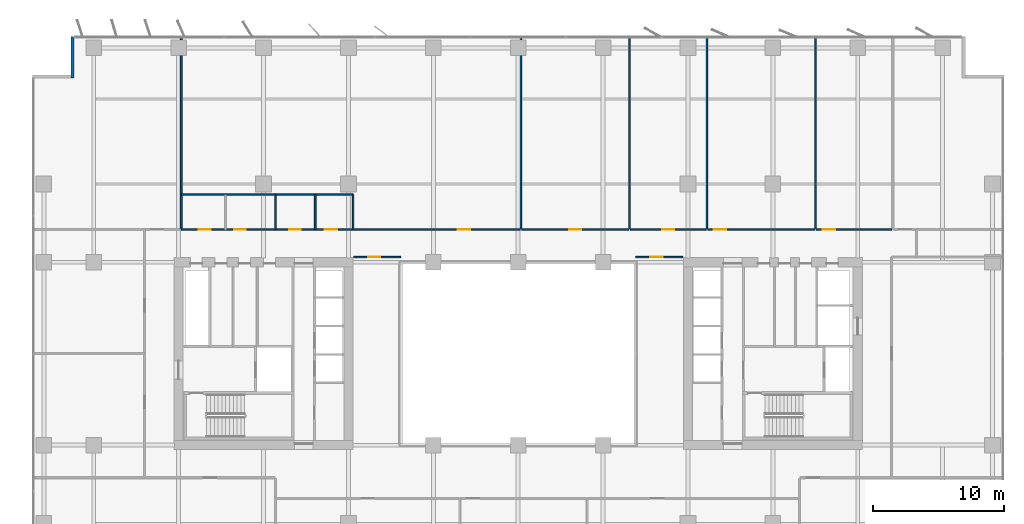
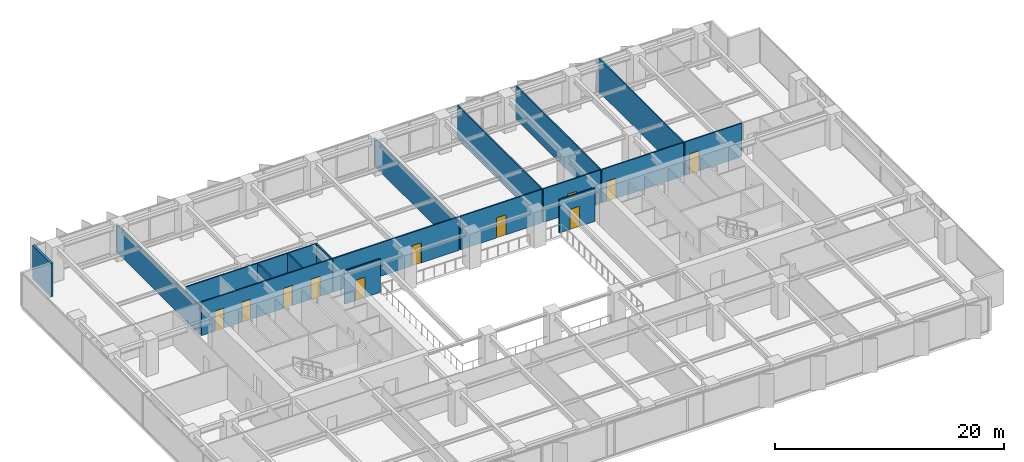
# One storey, part 15 of 20: 18 walls, 11 doors, 11 openings.
"""IFC4 building model written with IfcOpenShell, lengths in metres."""

from ifc_helpers import new_model, si_unit, direction, frame, frame_2d, origin, place, context, subcontext, project, spatial, rectangle, extrude, material, layer, layer_set, type_object, element, fill, save


model = new_model("IFC4")

# Units and contexts
model_context = context("Model", 3, precision=1e-05, world=origin(), true_north=direction((0.0, 1.0)))
body_context = subcontext(model_context, "Body", "Model", "MODEL_VIEW")
ifc_project = project(units=[si_unit("LENGTHUNIT", "METRE"), si_unit("AREAUNIT", "SQUARE_METRE"), si_unit("VOLUMEUNIT", "CUBIC_METRE"), si_unit("PLANEANGLEUNIT", "RADIAN"), si_unit("MASSUNIT", "GRAM", prefix="KILO")], contexts=[model_context])

# Site, building, storey
site_placement = place(None, origin())
site = spatial("IfcSite", under=ifc_project, at=site_placement, CompositionType="ELEMENT")
building_placement = place(site_placement, origin())
building = spatial("IfcBuilding", under=site, at=building_placement, Name="Putna Gate Headquarters", CompositionType="ELEMENT")
storey_placement = place(building_placement, frame((0.0, 0.0, 105.0)))
storey = spatial("IfcBuildingStorey", under=building, at=storey_placement, Name="L25", CompositionType="ELEMENT", Elevation=105.0)

# Wall
ifc_material_1 = material(Name="Precast concrete C40/50", Category="concrete")
ifc_layer_1 = layer(ifc_material_1, 0.239990234375)
ifc_layer_set_1 = layer_set([ifc_layer_1], Name="Precast concrete C40/50")
wall_type_1 = type_object("IfcWallType", Name="WALL-EXT-TERR-240", PredefinedType="STANDARD", material=ifc_layer_set_1)
wall_1_placement = place(storey_placement, frame((4.8798828125, 47.10009765625, 0.0), z_axis=(0.0, 0.0, 1.0), x_axis=(0.0, 1.0, 0.0)))
element("IfcWall", 1, at=wall_1_placement, inside=storey, type_object=wall_type_1, Name="L25 Corner Notch Return Wall NW-V", PredefinedType="STANDARD", context=body_context, shape_type="SweptSolid", body=[
    extrude(rectangle(XDim=3.199951171875, YDim=0.239990234375, at=frame_2d((1.60009765625, 0.0))), origin(), (0.0, 0.0, 1.0), 3.56494140625),
])

# Wall, opening, door
ifc_material_2 = material(Name="Acoustic gypsum board on metal stud")
ifc_layer_2 = layer(ifc_material_2, 0.1201171875)
ifc_layer_set_2 = layer_set([ifc_layer_2], Name="Acoustic gypsum board on metal stud")
wall_type_2 = type_object("IfcWallType", Name="WALL-PART-120", PredefinedType="PARTITIONING", material=ifc_layer_set_2)
wall_2_placement = place(storey_placement, frame((26.39990234375, 33.39990234375, 0.0), z_axis=(0.0, 0.0, 1.0), x_axis=(1.0, 0.0, 0.0)))
wall_2 = element("IfcWall", 2, at=wall_2_placement, inside=storey, type_object=wall_type_2, Name="L25 Interior Wall PART-L25-ATR-W-N", PredefinedType="PARTITIONING", context=body_context, shape_type="SweptSolid", body=[
    extrude(rectangle(XDim=3.60009765625, YDim=0.1201171875, at=frame_2d((1.800048828125, 0.0))), origin(), (0.0, 0.0, 1.0), 3.56494140625),
])
opening_1_placement = place(wall_2_placement, frame((1.10009765625, 0.0, 0.0)))
opening_1 = element("IfcOpeningElement", 3, at=opening_1_placement, cuts=wall_2, Name="Opening ID-95", PredefinedType="OPENING", context=body_context, shape_type="SweptSolid", body=[
    extrude(rectangle(XDim=0.949951171875, YDim=2.14990234375, at=frame_2d((0.47509765625, 1.074951171875))), frame((0.0, 0.070068359375, 0.0), z_axis=(0.0, -1.0, 0.0), x_axis=(1.0, 0.0, 0.0)), (0.0, 0.0, 1.0), 0.14013671875),
])
ifc_material_3 = material(Name="Veneered acoustic timber door", Category="wood")
door_type_1 = type_object("IfcDoorType", Name="DOOR-OFF-950", OperationType="NOTDEFINED", PredefinedType="DOOR", material=ifc_material_3)
door_1_placement = place(opening_1_placement, origin())
door_1 = element("IfcDoor", 4, at=door_1_placement, inside=storey, type_object=door_type_1, Name="L25 West Atrium Lounge Door", OperationType="SINGLE_SWING_LEFT", OverallHeight=2.14990234375, OverallWidth=0.949951171875, PredefinedType="DOOR", context=body_context, shape_type="SweptSolid", body=[
    extrude(rectangle(XDim=0.949951171875, YDim=2.14990234375, at=frame_2d((0.47509765625, 1.074951171875))), frame((0.0, 0.02490234375, 0.0), z_axis=(0.0, -1.0, 0.0), x_axis=(1.0, 0.0, 0.0)), (0.0, 0.0, 1.0), 0.050048828125),
])
fill(opening_1, door_1)

wall_3_placement = place(storey_placement, frame((48.0, 33.39990234375, 0.0), z_axis=(0.0, 0.0, 1.0), x_axis=(1.0, 0.0, 0.0)))
wall_3 = element("IfcWall", 5, at=wall_3_placement, inside=storey, type_object=wall_type_2, Name="L25 Interior Wall PART-L25-ATR-E-N", PredefinedType="PARTITIONING", context=body_context, shape_type="SweptSolid", body=[
    extrude(rectangle(XDim=3.60009765625, YDim=0.1201171875, at=frame_2d((1.800048828125, 0.0))), origin(), (0.0, 0.0, 1.0), 3.56494140625),
])
opening_2_placement = place(wall_3_placement, frame((1.10009765625, 0.0, 0.0)))
opening_2 = element("IfcOpeningElement", 6, at=opening_2_placement, cuts=wall_3, Name="Opening ID-95", PredefinedType="OPENING", context=body_context, shape_type="SweptSolid", body=[
    extrude(rectangle(XDim=0.949951171875, YDim=2.14990234375, at=frame_2d((0.47509765625, 1.074951171875))), frame((0.0, 0.070068359375, 0.0), z_axis=(0.0, -1.0, 0.0), x_axis=(1.0, 0.0, 0.0)), (0.0, 0.0, 1.0), 0.14013671875),
])
door_2_placement = place(opening_2_placement, origin())
door_2 = element("IfcDoor", 7, at=door_2_placement, inside=storey, type_object=door_type_1, Name="L25 East Atrium Lounge Door", OperationType="SINGLE_SWING_RIGHT", OverallHeight=2.14990234375, OverallWidth=0.949951171875, PredefinedType="DOOR", context=body_context, shape_type="SweptSolid", body=[
    extrude(rectangle(XDim=0.949951171875, YDim=2.14990234375, at=frame_2d((0.47509765625, 1.074951171875))), frame((0.0, 0.02490234375, 0.0), z_axis=(0.0, -1.0, 0.0), x_axis=(1.0, 0.0, 0.0)), (0.0, 0.0, 1.0), 0.050048828125),
])
fill(opening_2, door_2)

# Walls
for number, where, z_axis, x_axis, name in (
    (8, (13.199951171875, 35.56005859375, 0.0), (0.0, 0.0, 1.0), (0.0, 1.0, 0.0), "L25 Interior Wall PART-L25-NB-DIV-01"),
    (9, (39.199951171875, 35.56005859375, 0.0), (0.0, 0.0, 1.0), (0.0, 1.0, 0.0), "L25 Interior Wall PART-L25-NB-DIV-02"),
):
    element("IfcWall", number, at=place(storey_placement, frame(where, z_axis=z_axis, x_axis=x_axis)), inside=storey, type_object=wall_type_2, Name=name, PredefinedType="PARTITIONING", context=body_context, shape_type="SweptSolid", body=[
        extrude(rectangle(XDim=14.719970703125, YDim=0.1201171875, at=frame_2d((7.35986328125, 0.0))), origin(), (0.0, 0.0, 1.0), 2.965087890625),
    ])
for number, where, z_axis, x_axis, name in (
    (10, (47.53662109375, 35.56005859375, 0.0), (0.0, 0.0, 1.0), (0.0, 1.0, 0.0), "L25 Interior Wall PART-L25-NB-DIV-03"),
    (11, (53.441650390625, 35.56005859375, 0.0), (0.0, 0.0, 1.0), (0.0, 1.0, 0.0), "L25 Interior Wall PART-L25-NB-DIV-04"),
    (12, (61.7783203125, 35.56005859375, 0.0), (0.0, 0.0, 1.0), (0.0, 1.0, 0.0), "L25 Interior Wall PART-L25-NB-DIV-05"),
):
    element("IfcWall", number, at=place(storey_placement, frame(where, z_axis=z_axis, x_axis=x_axis)), inside=storey, type_object=wall_type_2, Name=name, PredefinedType="PARTITIONING", context=body_context, shape_type="SweptSolid", body=[
        extrude(rectangle(XDim=14.719970703125, YDim=0.1201171875, at=frame_2d((7.35986328125, 0.0))), origin(), (0.0, 0.0, 1.0), 3.56494140625),
    ])

# Wall, openings, doors
ifc_material_4 = material(Name="Fire-rated gypsum board on metal stud")
ifc_layer_3 = layer(ifc_material_4, 0.1201171875)
ifc_layer_set_3 = layer_set([ifc_layer_3], Name="Fire-rated gypsum board on metal stud")
wall_type_3 = type_object("IfcWallType", Name="WALL-PART-120-RATED", PredefinedType="PARTITIONING", material=ifc_layer_set_3)
wall_4_placement = place(storey_placement, frame((13.199951171875, 35.5, 0.0), z_axis=(0.0, 0.0, 1.0), x_axis=(1.0, 0.0, 0.0)))
wall_4 = element("IfcWall", 13, at=wall_4_placement, inside=storey, type_object=wall_type_3, Name="L25 Interior Wall PART-L25-SAN-CW", PredefinedType="PARTITIONING", context=body_context, shape_type="SweptSolid", body=[
    extrude(rectangle(XDim=13.16015625, YDim=0.1201171875, at=frame_2d((6.580078125, 0.0))), origin(), (0.0, 0.0, 1.0), 3.56494140625),
])
opening_3_placement = place(wall_4_placement, frame((1.35009765625, 0.0, 0.0)))
opening_3 = element("IfcOpeningElement", 14, at=opening_3_placement, cuts=wall_4, Name="Opening FD-90", PredefinedType="OPENING", context=body_context, shape_type="SweptSolid", body=[
    extrude(rectangle(XDim=0.89990234375, YDim=2.14990234375, at=frame_2d((0.449951171875, 1.074951171875))), frame((0.0, 0.070068359375, 0.0), z_axis=(0.0, -1.0, 0.0), x_axis=(1.0, 0.0, 0.0)), (0.0, 0.0, 1.0), 0.14013671875),
])
opening_4_placement = place(wall_4_placement, frame((4.050048828125, 0.0, 0.0)))
opening_4 = element("IfcOpeningElement", 15, at=opening_4_placement, cuts=wall_4, Name="Opening FD-90", PredefinedType="OPENING", context=body_context, shape_type="SweptSolid", body=[
    extrude(rectangle(XDim=0.89990234375, YDim=2.14990234375, at=frame_2d((0.449951171875, 1.074951171875))), frame((0.0, 0.070068359375, 0.0), z_axis=(0.0, -1.0, 0.0), x_axis=(1.0, 0.0, 0.0)), (0.0, 0.0, 1.0), 0.14013671875),
])
opening_5_placement = place(wall_4_placement, frame((8.25, 0.0, 0.0)))
opening_5 = element("IfcOpeningElement", 16, at=opening_5_placement, cuts=wall_4, Name="Opening FD-90", PredefinedType="OPENING", context=body_context, shape_type="SweptSolid", body=[
    extrude(rectangle(XDim=0.89990234375, YDim=2.14990234375, at=frame_2d((0.449951171875, 1.074951171875))), frame((0.0, 0.070068359375, 0.0), z_axis=(0.0, -1.0, 0.0), x_axis=(1.0, 0.0, 0.0)), (0.0, 0.0, 1.0), 0.14013671875),
])
opening_6_placement = place(wall_4_placement, frame((11.0, 0.0, 0.0)))
opening_6 = element("IfcOpeningElement", 17, at=opening_6_placement, cuts=wall_4, Name="Opening FD-95", PredefinedType="OPENING", context=body_context, shape_type="SweptSolid", body=[
    extrude(rectangle(XDim=0.949951171875, YDim=2.14990234375, at=frame_2d((0.47509765625, 1.074951171875))), frame((0.0, 0.070068359375, 0.0), z_axis=(0.0, -1.0, 0.0), x_axis=(1.0, 0.0, 0.0)), (0.0, 0.0, 1.0), 0.14013671875),
])
ifc_material_5 = material(Name="Acoustic washroom fire door")
door_type_2 = type_object("IfcDoorType", Name="DOOR-FIRE-900", OperationType="NOTDEFINED", PredefinedType="DOOR", material=ifc_material_5)
door_3_placement = place(opening_3_placement, origin())
door_3 = element("IfcDoor", 18, at=door_3_placement, inside=storey, type_object=door_type_2, Name="L25 Washroom Male Door", OperationType="SINGLE_SWING_LEFT", OverallHeight=2.14990234375, OverallWidth=0.89990234375, PredefinedType="DOOR", context=body_context, shape_type="SweptSolid", body=[
    extrude(rectangle(XDim=0.89990234375, YDim=2.14990234375, at=frame_2d((0.449951171875, 1.074951171875))), frame((0.0, 0.02490234375, 0.0), z_axis=(0.0, -1.0, 0.0), x_axis=(1.0, 0.0, 0.0)), (0.0, 0.0, 1.0), 0.050048828125),
])
fill(opening_3, door_3)
door_4_placement = place(opening_4_placement, origin())
door_4 = element("IfcDoor", 19, at=door_4_placement, inside=storey, type_object=door_type_2, Name="L25 Washroom Female Door", OperationType="SINGLE_SWING_RIGHT", OverallHeight=2.14990234375, OverallWidth=0.89990234375, PredefinedType="DOOR", context=body_context, shape_type="SweptSolid", body=[
    extrude(rectangle(XDim=0.89990234375, YDim=2.14990234375, at=frame_2d((0.449951171875, 1.074951171875))), frame((0.0, 0.02490234375, 0.0), z_axis=(0.0, -1.0, 0.0), x_axis=(1.0, 0.0, 0.0)), (0.0, 0.0, 1.0), 0.050048828125),
])
fill(opening_4, door_4)
door_5_placement = place(opening_5_placement, origin())
door_5 = element("IfcDoor", 20, at=door_5_placement, inside=storey, type_object=door_type_2, Name="L25 Accessible WC Door", OperationType="SINGLE_SWING_LEFT", OverallHeight=2.14990234375, OverallWidth=0.89990234375, PredefinedType="DOOR", context=body_context, shape_type="SweptSolid", body=[
    extrude(rectangle(XDim=0.89990234375, YDim=2.14990234375, at=frame_2d((0.449951171875, 1.074951171875))), frame((0.0, 0.02490234375, 0.0), z_axis=(0.0, -1.0, 0.0), x_axis=(1.0, 0.0, 0.0)), (0.0, 0.0, 1.0), 0.050048828125),
])
fill(opening_5, door_5)
ifc_material_6 = material(Name="Acoustic timber fire door", Category="wood")
door_type_3 = type_object("IfcDoorType", Name="DOOR-FIRE-950", OperationType="NOTDEFINED", PredefinedType="DOOR", material=ifc_material_6)
door_6_placement = place(opening_6_placement, origin())
door_6 = element("IfcDoor", 21, at=door_6_placement, inside=storey, type_object=door_type_3, Name="L25 Staff Pantry and Tea Point Door", OperationType="SINGLE_SWING_RIGHT", OverallHeight=2.14990234375, OverallWidth=0.949951171875, PredefinedType="DOOR", context=body_context, shape_type="SweptSolid", body=[
    extrude(rectangle(XDim=0.949951171875, YDim=2.14990234375, at=frame_2d((0.47509765625, 1.074951171875))), frame((0.0, 0.02490234375, 0.0), z_axis=(0.0, -1.0, 0.0), x_axis=(1.0, 0.0, 0.0)), (0.0, 0.0, 1.0), 0.050048828125),
])
fill(opening_6, door_6)

# Walls
wall_5_placement = place(storey_placement, frame((13.199951171875, 38.179931640625, 0.0), z_axis=(0.0, 0.0, 1.0), x_axis=(1.0, 0.0, 0.0)))
element("IfcWall", 22, at=wall_5_placement, inside=storey, type_object=wall_type_3, Name="L25 Interior Wall PART-L25-SAN-BACK", PredefinedType="PARTITIONING", context=body_context, shape_type="SweptSolid", body=[
    extrude(rectangle(XDim=13.16015625, YDim=0.1201171875, at=frame_2d((6.580078125, 0.0))), origin(), (0.0, 0.0, 1.0), 3.56494140625),
])
for number, where, z_axis, x_axis, name in (
    (23, (20.419921875, 35.5, 0.0), (0.0, 0.0, 1.0), (0.0, 1.0, 0.0), "L25 Interior Wall PART-L25-SAN-DIV-2"),
    (24, (23.4599609375, 35.5, 0.0), (0.0, 0.0, 1.0), (0.0, 1.0, 0.0), "L25 Interior Wall PART-L25-SAN-DIV-3"),
    (25, (26.360107421875, 35.5, 0.0), (0.0, 0.0, 1.0), (0.0, 1.0, 0.0), "L25 Interior Wall PART-L25-SAN-DIV-4"),
):
    element("IfcWall", number, at=place(storey_placement, frame(where, z_axis=z_axis, x_axis=x_axis)), inside=storey, type_object=wall_type_3, Name=name, PredefinedType="PARTITIONING", context=body_context, shape_type="SweptSolid", body=[
        extrude(rectangle(XDim=2.679931640625, YDim=0.1201171875, at=frame_2d((1.33984375, 0.0))), origin(), (0.0, 0.0, 1.0), 3.56494140625),
    ])

# Wall, opening, door
wall_6_placement = place(storey_placement, frame((26.419921875, 35.5, 0.0), z_axis=(0.0, 0.0, 1.0), x_axis=(1.0, 0.0, 0.0)))
wall_6 = element("IfcWall", 26, at=wall_6_placement, inside=storey, type_object=wall_type_3, Name="L25 Interior Wall PART-L25-NB-CW-02", PredefinedType="PARTITIONING", context=body_context, shape_type="SweptSolid", body=[
    extrude(rectangle(XDim=12.719970703125, YDim=0.1201171875, at=frame_2d((6.35986328125, 0.0))), origin(), (0.0, 0.0, 1.0), 3.56494140625),
])
opening_7_placement = place(wall_6_placement, frame((7.9541015625, 0.0, 0.0)))
opening_7 = element("IfcOpeningElement", 27, at=opening_7_placement, cuts=wall_6, Name="Opening FD-95", PredefinedType="OPENING", context=body_context, shape_type="SweptSolid", body=[
    extrude(rectangle(XDim=0.949951171875, YDim=2.14990234375, at=frame_2d((0.47509765625, 1.074951171875))), frame((0.0, 0.070068359375, 0.0), z_axis=(0.0, -1.0, 0.0), x_axis=(1.0, 0.0, 0.0)), (0.0, 0.0, 1.0), 0.14013671875),
])
door_7_placement = place(opening_7_placement, origin())
door_7 = element("IfcDoor", 28, at=door_7_placement, inside=storey, type_object=door_type_3, Name="L25 Primary Open Office Workplace Door", OperationType="SINGLE_SWING_RIGHT", OverallHeight=2.14990234375, OverallWidth=0.949951171875, PredefinedType="DOOR", context=body_context, shape_type="SweptSolid", body=[
    extrude(rectangle(XDim=0.949951171875, YDim=2.14990234375, at=frame_2d((0.47509765625, 1.074951171875))), frame((0.0, 0.02490234375, 0.0), z_axis=(0.0, -1.0, 0.0), x_axis=(1.0, 0.0, 0.0)), (0.0, 0.0, 1.0), 0.050048828125),
])
fill(opening_7, door_7)

wall_7_placement = place(storey_placement, frame((39.260009765625, 35.5, 0.0), z_axis=(0.0, 0.0, 1.0), x_axis=(1.0, 0.0, 0.0)))
wall_7 = element("IfcWall", 29, at=wall_7_placement, inside=storey, type_object=wall_type_3, Name="L25 Interior Wall PART-L25-NB-CW-03", PredefinedType="PARTITIONING", context=body_context, shape_type="SweptSolid", body=[
    extrude(rectangle(XDim=8.216552734375, YDim=0.1201171875, at=frame_2d((4.1083984375, 0.0))), origin(), (0.0, 0.0, 1.0), 3.56494140625),
])
opening_8_placement = place(wall_7_placement, frame((3.63330078125, 0.0, 0.0)))
opening_8 = element("IfcOpeningElement", 30, at=opening_8_placement, cuts=wall_7, Name="Opening FD-95", PredefinedType="OPENING", context=body_context, shape_type="SweptSolid", body=[
    extrude(rectangle(XDim=0.949951171875, YDim=2.14990234375, at=frame_2d((0.47509765625, 1.074951171875))), frame((0.0, 0.070068359375, 0.0), z_axis=(0.0, -1.0, 0.0), x_axis=(1.0, 0.0, 0.0)), (0.0, 0.0, 1.0), 0.14013671875),
])
door_8_placement = place(opening_8_placement, origin())
door_8 = element("IfcDoor", 31, at=door_8_placement, inside=storey, type_object=door_type_3, Name="L25 Cellular Office 4 Door", OperationType="SINGLE_SWING_LEFT", OverallHeight=2.14990234375, OverallWidth=0.949951171875, PredefinedType="DOOR", context=body_context, shape_type="SweptSolid", body=[
    extrude(rectangle(XDim=0.949951171875, YDim=2.14990234375, at=frame_2d((0.47509765625, 1.074951171875))), frame((0.0, 0.02490234375, 0.0), z_axis=(0.0, -1.0, 0.0), x_axis=(1.0, 0.0, 0.0)), (0.0, 0.0, 1.0), 0.050048828125),
])
fill(opening_8, door_8)

wall_8_placement = place(storey_placement, frame((47.5966796875, 35.5, 0.0), z_axis=(0.0, 0.0, 1.0), x_axis=(1.0, 0.0, 0.0)))
wall_8 = element("IfcWall", 32, at=wall_8_placement, inside=storey, type_object=wall_type_3, Name="L25 Interior Wall PART-L25-NB-CW-04", PredefinedType="PARTITIONING", context=body_context, shape_type="SweptSolid", body=[
    extrude(rectangle(XDim=5.784912109375, YDim=0.1201171875, at=frame_2d((2.892578125, 0.0))), origin(), (0.0, 0.0, 1.0), 3.56494140625),
])
opening_9_placement = place(wall_8_placement, frame((2.41748046875, 0.0, 0.0)))
opening_9 = element("IfcOpeningElement", 33, at=opening_9_placement, cuts=wall_8, Name="Opening FD-95", PredefinedType="OPENING", context=body_context, shape_type="SweptSolid", body=[
    extrude(rectangle(XDim=0.949951171875, YDim=2.14990234375, at=frame_2d((0.47509765625, 1.074951171875))), frame((0.0, 0.070068359375, 0.0), z_axis=(0.0, -1.0, 0.0), x_axis=(1.0, 0.0, 0.0)), (0.0, 0.0, 1.0), 0.14013671875),
])
door_9_placement = place(opening_9_placement, origin())
door_9 = element("IfcDoor", 34, at=door_9_placement, inside=storey, type_object=door_type_3, Name="L25 Conference Meeting Room 1 Door", OperationType="SINGLE_SWING_RIGHT", OverallHeight=2.14990234375, OverallWidth=0.949951171875, PredefinedType="DOOR", context=body_context, shape_type="SweptSolid", body=[
    extrude(rectangle(XDim=0.949951171875, YDim=2.14990234375, at=frame_2d((0.47509765625, 1.074951171875))), frame((0.0, 0.02490234375, 0.0), z_axis=(0.0, -1.0, 0.0), x_axis=(1.0, 0.0, 0.0)), (0.0, 0.0, 1.0), 0.050048828125),
])
fill(opening_9, door_9)

wall_9_placement = place(storey_placement, frame((53.501708984375, 35.5, 0.0), z_axis=(0.0, 0.0, 1.0), x_axis=(1.0, 0.0, 0.0)))
wall_9 = element("IfcWall", 35, at=wall_9_placement, inside=storey, type_object=wall_type_3, Name="L25 Interior Wall PART-L25-NB-CW-05", PredefinedType="PARTITIONING", context=body_context, shape_type="SweptSolid", body=[
    extrude(rectangle(XDim=8.216552734375, YDim=0.1201171875, at=frame_2d((4.1083984375, 0.0))), origin(), (0.0, 0.0, 1.0), 3.56494140625),
])
opening_10_placement = place(wall_9_placement, frame((0.47998046875, 0.0, 0.0)))
opening_10 = element("IfcOpeningElement", 36, at=opening_10_placement, cuts=wall_9, Name="Opening FD-95", PredefinedType="OPENING", context=body_context, shape_type="SweptSolid", body=[
    extrude(rectangle(XDim=0.949951171875, YDim=2.14990234375, at=frame_2d((0.47509765625, 1.074951171875))), frame((0.0, 0.070068359375, 0.0), z_axis=(0.0, -1.0, 0.0), x_axis=(1.0, 0.0, 0.0)), (0.0, 0.0, 1.0), 0.14013671875),
])
door_10_placement = place(opening_10_placement, origin())
door_10 = element("IfcDoor", 37, at=door_10_placement, inside=storey, type_object=door_type_3, Name="L25 Conference Meeting Room 2 Door", OperationType="SINGLE_SWING_LEFT", OverallHeight=2.14990234375, OverallWidth=0.949951171875, PredefinedType="DOOR", context=body_context, shape_type="SweptSolid", body=[
    extrude(rectangle(XDim=0.949951171875, YDim=2.14990234375, at=frame_2d((0.47509765625, 1.074951171875))), frame((0.0, 0.02490234375, 0.0), z_axis=(0.0, -1.0, 0.0), x_axis=(1.0, 0.0, 0.0)), (0.0, 0.0, 1.0), 0.050048828125),
])
fill(opening_10, door_10)

wall_10_placement = place(storey_placement, frame((61.83837890625, 35.5, 0.0), z_axis=(0.0, 0.0, 1.0), x_axis=(1.0, 0.0, 0.0)))
wall_10 = element("IfcWall", 38, at=wall_10_placement, inside=storey, type_object=wall_type_3, Name="L25 Interior Wall PART-L25-NB-CW-06", PredefinedType="PARTITIONING", context=body_context, shape_type="SweptSolid", body=[
    extrude(rectangle(XDim=5.784912109375, YDim=0.1201171875, at=frame_2d((2.892578125, 0.0))), origin(), (0.0, 0.0, 1.0), 3.56494140625),
])
opening_11_placement = place(wall_10_placement, frame((0.47998046875, 0.0, 0.0)))
opening_11 = element("IfcOpeningElement", 39, at=opening_11_placement, cuts=wall_10, Name="Opening FD-95", PredefinedType="OPENING", context=body_context, shape_type="SweptSolid", body=[
    extrude(rectangle(XDim=0.949951171875, YDim=2.14990234375, at=frame_2d((0.47509765625, 1.074951171875))), frame((0.0, 0.070068359375, 0.0), z_axis=(0.0, -1.0, 0.0), x_axis=(1.0, 0.0, 0.0)), (0.0, 0.0, 1.0), 0.14013671875),
])
door_11_placement = place(opening_11_placement, origin())
door_11 = element("IfcDoor", 40, at=door_11_placement, inside=storey, type_object=door_type_3, Name="L25 Conference Meeting Room 3 Door", OperationType="SINGLE_SWING_RIGHT", OverallHeight=2.14990234375, OverallWidth=0.949951171875, PredefinedType="DOOR", context=body_context, shape_type="SweptSolid", body=[
    extrude(rectangle(XDim=0.949951171875, YDim=2.14990234375, at=frame_2d((0.47509765625, 1.074951171875))), frame((0.0, 0.02490234375, 0.0), z_axis=(0.0, -1.0, 0.0), x_axis=(1.0, 0.0, 0.0)), (0.0, 0.0, 1.0), 0.050048828125),
])
fill(opening_11, door_11)

save(model, "model.ifc")
